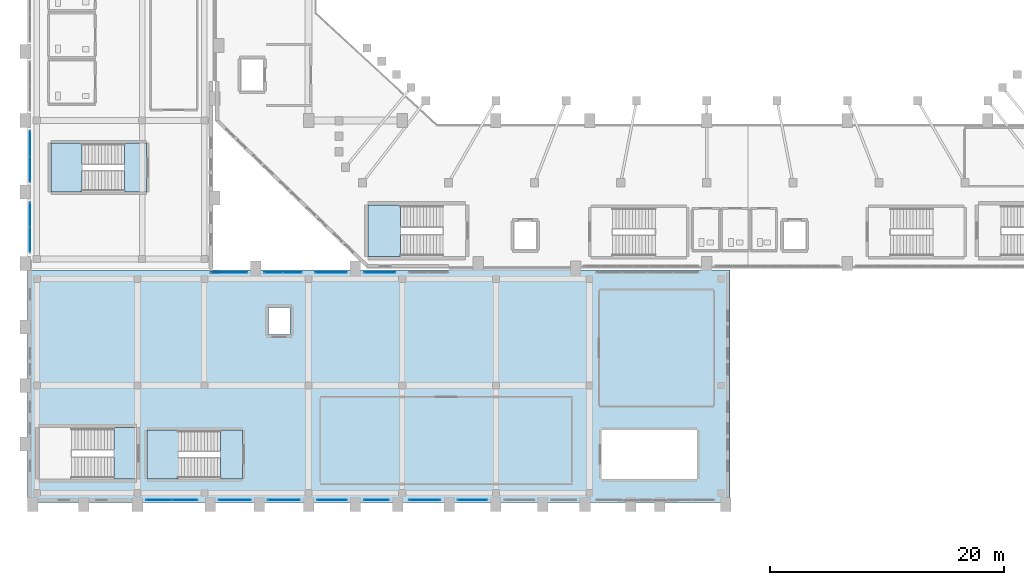
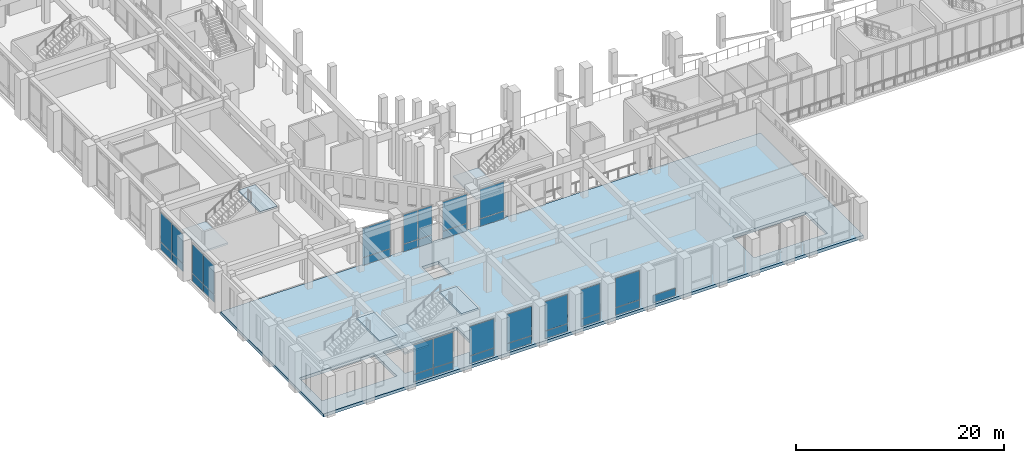
# One storey, part 65 of 126: 33 plates, 7 slabs, 17 elements without a shape of their own.
"""IFC4 building model written with IfcOpenShell, lengths in metres."""

from ifc_helpers import new_model, si_unit, derived_unit, direction, frame, origin, origin_2d, place, context, subcontext, project, spatial, polyline, rectangle, outline, extrude, material, layer, layer_set, type_object, element, aggregate, save


model = new_model("IFC4")

# Units and contexts
model_context = context("Model", 3, precision=1e-05, world=origin(), true_north=direction((0.0, 1.0)))
body_context = subcontext(model_context, "Body", "Model", "MODEL_VIEW")
ifc_project = project(units=[si_unit("LENGTHUNIT", "METRE"), si_unit("AREAUNIT", "SQUARE_METRE"), si_unit("VOLUMEUNIT", "CUBIC_METRE"), si_unit("PLANEANGLEUNIT", "RADIAN"), si_unit("MASSUNIT", "GRAM", prefix="KILO"), derived_unit("THERMALTRANSMITTANCEUNIT", [(si_unit("MASSUNIT", "GRAM", prefix="KILO"), 1), (si_unit("TIMEUNIT", "SECOND"), -3), (si_unit("THERMODYNAMICTEMPERATUREUNIT", "KELVIN"), -1)])], contexts=[model_context])

# Site, building, storey
site_placement = place(None, origin())
site = spatial("IfcSite", under=ifc_project, at=site_placement, CompositionType="ELEMENT")
building_placement = place(site_placement, origin())
building = spatial("IfcBuilding", under=site, at=building_placement, Name="Valcora Ridge Arena", CompositionType="ELEMENT")
storey_placement = place(building_placement, frame((0.0, 0.0, 11.39990234375)))
storey = spatial("IfcBuildingStorey", under=building, at=storey_placement, Name="L02", CompositionType="ELEMENT", Elevation=11.39990234375)

# Stair, slabs
ifc_material_1 = material(Name="Concrete C40/50", Category="concrete")
stair_type_1 = type_object("IfcStairType", Name="TY-STAIR-ES05-48", PredefinedType="HALF_TURN_STAIR", material=ifc_material_1)
stair_1_placement = place(storey_placement, origin())
stair_1 = element("IfcStair", 1, at=stair_1_placement, inside=storey, type_object=stair_type_1, Name="ES05-48 STR-ES-0019", PredefinedType="HALF_TURN_STAIR")
ifc_layer_1 = layer(ifc_material_1, 0.199951171875, Name="Concrete C40/50")
ifc_layer_set_1 = layer_set([ifc_layer_1], Name="Concrete C40/50")
slab_type_1 = type_object("IfcSlabType", Name="TY-LAND-ES05-48", PredefinedType="LANDING", material=ifc_layer_set_1)
slab_1_placement = place(storey_placement, frame((0.0, 0.0, 2.2001953125)))
slab_1 = element("IfcSlab", 2, at=slab_1_placement, type_object=slab_type_1, Name="ES05-48 landing 1", PredefinedType="LANDING", context=body_context, shape_type="SweptSolid", body=[
    extrude(outline(polyline([(10.201904296875, 2.001953125), (12.8798828125, 2.001953125), (12.8798828125, 6.197998046875), (10.201904296875, 6.197998046875), (10.201904296875, 2.001953125)])), origin(), (0.0, 0.0, 1.0), 0.199951171875),
])
slab_2_placement = place(storey_placement, frame((0.0, 0.0, 4.60009765625)))
slab_2 = element("IfcSlab", 3, at=slab_2_placement, type_object=slab_type_1, Name="ES05-48 landing 2", PredefinedType="LANDING", context=body_context, shape_type="SweptSolid", body=[
    extrude(outline(polyline([(16.47998046875, 2.001953125), (18.35791015625, 2.001953125), (18.35791015625, 6.197998046875), (16.47998046875, 6.197998046875), (16.47998046875, 2.001953125)])), origin(), (0.0, 0.0, 1.0), 0.199951171875),
])
aggregate(stair_1, [slab_1, slab_2])

stair_type_2 = type_object("IfcStairType", Name="TY-STAIR-ES07-48", PredefinedType="HALF_TURN_STAIR", material=ifc_material_1)
stair_2_placement = place(storey_placement, origin())
stair_2 = element("IfcStair", 4, at=stair_2_placement, inside=storey, type_object=stair_type_2, Name="ES07-48 STR-ES-0025", PredefinedType="HALF_TURN_STAIR")
ifc_layer_2 = layer(ifc_material_1, 0.199951171875, Name="Concrete C40/50")
ifc_layer_set_2 = layer_set([ifc_layer_2], Name="Concrete C40/50")
slab_type_2 = type_object("IfcSlabType", Name="TY-LAND-ES07-48", PredefinedType="LANDING", material=ifc_layer_set_2)
slab_3_placement = place(storey_placement, frame((0.0, 0.0, 2.2001953125)))
slab_3 = element("IfcSlab", 5, at=slab_3_placement, type_object=slab_type_2, Name="ES07-48 landing 1", PredefinedType="LANDING", context=body_context, shape_type="SweptSolid", body=[
    extrude(outline(polyline([(2.001953125, 26.501953125), (4.679931640625, 26.501953125), (4.679931640625, 30.697998046875), (2.001953125, 30.697998046875), (2.001953125, 26.501953125)])), origin(), (0.0, 0.0, 1.0), 0.199951171875),
])
slab_4_placement = place(storey_placement, frame((0.0, 0.0, 4.60009765625)))
slab_4 = element("IfcSlab", 6, at=slab_4_placement, type_object=slab_type_2, Name="ES07-48 landing 2", PredefinedType="LANDING", context=body_context, shape_type="SweptSolid", body=[
    extrude(outline(polyline([(8.280029296875, 26.501953125), (10.157958984375, 26.501953125), (10.157958984375, 30.697998046875), (8.280029296875, 30.697998046875), (8.280029296875, 26.501953125)])), origin(), (0.0, 0.0, 1.0), 0.199951171875),
])
aggregate(stair_2, [slab_3, slab_4])

# Stair, slab
stair_type_3 = type_object("IfcStairType", Name="TY-STAIR-ST01-48", PredefinedType="HALF_TURN_STAIR", material=ifc_material_1)
stair_3_placement = place(storey_placement, origin())
stair_3 = element("IfcStair", 7, at=stair_3_placement, inside=storey, type_object=stair_type_3, Name="ST01-48 STR-CR-0004", PredefinedType="HALF_TURN_STAIR")
ifc_layer_3 = layer(ifc_material_1, 0.199951171875, Name="Concrete C40/50")
ifc_layer_set_3 = layer_set([ifc_layer_3], Name="Concrete C40/50")
slab_type_3 = type_object("IfcSlabType", Name="TY-LAND-ST01-48", PredefinedType="LANDING", material=ifc_layer_set_3)
slab_5_placement = place(storey_placement, frame((0.0, 0.0, 2.2001953125)))
slab_5 = element("IfcSlab", 8, at=slab_5_placement, type_object=slab_type_3, Name="ST01-48 landing 1", PredefinedType="LANDING", context=body_context, shape_type="SweptSolid", body=[
    extrude(outline(polyline([(29.08203125, 21.001953125), (31.8701171875, 21.001953125), (31.8701171875, 25.39794921875), (29.08203125, 25.39794921875), (29.08203125, 21.001953125)])), origin(), (0.0, 0.0, 1.0), 0.199951171875),
])
aggregate(stair_3, [slab_5])

stair_type_4 = type_object("IfcStairType", Name="TY-STAIR-ST07-48", PredefinedType="HALF_TURN_STAIR", material=ifc_material_1)
stair_4_placement = place(storey_placement, origin())
stair_4 = element("IfcStair", 9, at=stair_4_placement, inside=storey, type_object=stair_type_4, Name="ST07-48 STR-CR-0033", PredefinedType="HALF_TURN_STAIR")
ifc_layer_4 = layer(ifc_material_1, 0.199951171875, Name="Concrete C40/50")
ifc_layer_set_4 = layer_set([ifc_layer_4], Name="Concrete C40/50")
slab_type_4 = type_object("IfcSlabType", Name="TY-LAND-ST07-48", PredefinedType="LANDING", material=ifc_layer_set_4)
slab_6_placement = place(storey_placement, frame((0.0, 0.0, 4.60009765625)))
slab_6 = element("IfcSlab", 10, at=slab_6_placement, type_object=slab_type_4, Name="ST07-48 landing 2", PredefinedType="LANDING", context=body_context, shape_type="SweptSolid", body=[
    extrude(outline(polyline([(7.389892578125, 2.001953125), (9.318115234375, 2.001953125), (9.318115234375, 6.39794921875), (7.389892578125, 6.39794921875), (7.389892578125, 2.001953125)])), origin(), (0.0, 0.0, 1.0), 0.199951171875),
])
aggregate(stair_4, [slab_6])

# Curtain wall, plates
ifc_material_2 = material(Name="Anodised dark bronze architectural aluminium 6063-T6", Category="aluminium")
ifc_layer_5 = layer(ifc_material_2, 0.14990234375, Name="Anodised dark bronze architectural aluminium 6063-T6")
ifc_layer_set_5 = layer_set([ifc_layer_5], Name="Anodised dark bronze architectural aluminium 6063-T6")
curtain_wall_type_1 = type_object("IfcCurtainWallType", Name="TY-CURTAINWALL-CW-V4-CLUB-033X44", PredefinedType="NOTDEFINED", material=ifc_layer_set_5)
curtain_wall_1_placement = place(storey_placement, origin())
curtain_wall_1 = element("IfcCurtainWall", 11, at=curtain_wall_1_placement, inside=storey, type_object=curtain_wall_type_1, Name="CW-V4-CLUB-033X44 CW-0250", PredefinedType="NOTDEFINED")
ifc_material_3 = material(Name="Low-iron solar-control double glazing SHGC 0.28", Category="glass")
ifc_layer_6 = layer(ifc_material_3, 0.028076171875, Name="Low-iron solar-control double glazing SHGC 0.28")
ifc_layer_set_6 = layer_set([ifc_layer_6], Name="Low-iron solar-control double glazing SHGC 0.28")
plate_type_1 = type_object("IfcPlateType", Name="TY-PLT-CWP-1560X0875", PredefinedType="CURTAIN_PANEL", material=ifc_layer_set_6)
plate_1_placement = place(storey_placement, frame((21.02001953125, 19.64990234375, 0.050048828125), z_axis=(0.0, 0.0, 1.0), x_axis=(1.0, 0.0, 0.0)))
plate_1 = element("IfcPlate", 12, at=plate_1_placement, type_object=plate_type_1, Name="CW-0250/P00-00", PredefinedType="CURTAIN_PANEL", context=body_context, shape_type="SweptSolid", body=[
    extrude(rectangle(XDim=1.56005859375, YDim=0.028076171875, at=origin_2d()), origin(), (0.0, 0.0, 1.0), 0.875),
])
plate_2_placement = place(storey_placement, frame((22.6298828125, 19.64990234375, 0.050048828125), z_axis=(0.0, 0.0, 1.0), x_axis=(1.0, 0.0, 0.0)))
plate_2 = element("IfcPlate", 13, at=plate_2_placement, type_object=plate_type_1, Name="CW-0250/P01-00", PredefinedType="CURTAIN_PANEL", context=body_context, shape_type="SweptSolid", body=[
    extrude(rectangle(XDim=1.56005859375, YDim=0.028076171875, at=origin_2d()), origin(), (0.0, 0.0, 1.0), 0.875),
])
ifc_layer_7 = layer(ifc_material_3, 0.028076171875, Name="Low-iron solar-control double glazing SHGC 0.28")
ifc_layer_set_7 = layer_set([ifc_layer_7], Name="Low-iron solar-control double glazing SHGC 0.28")
plate_type_2 = type_object("IfcPlateType", Name="TY-PLT-CWP-1560X3425", PredefinedType="CURTAIN_PANEL", material=ifc_layer_set_7)
plate_3_placement = place(storey_placement, frame((21.02001953125, 19.64990234375, 0.97509765625), z_axis=(0.0, 0.0, 1.0), x_axis=(1.0, 0.0, 0.0)))
plate_3 = element("IfcPlate", 14, at=plate_3_placement, type_object=plate_type_2, Name="CW-0250/P00-01", PredefinedType="CURTAIN_PANEL", context=body_context, shape_type="SweptSolid", body=[
    extrude(rectangle(XDim=1.56005859375, YDim=0.028076171875, at=origin_2d()), origin(), (0.0, 0.0, 1.0), 3.425048828125),
])
plate_4_placement = place(storey_placement, frame((22.6298828125, 19.64990234375, 0.97509765625), z_axis=(0.0, 0.0, 1.0), x_axis=(1.0, 0.0, 0.0)))
plate_4 = element("IfcPlate", 15, at=plate_4_placement, type_object=plate_type_2, Name="CW-0250/P01-01", PredefinedType="CURTAIN_PANEL", context=body_context, shape_type="SweptSolid", body=[
    extrude(rectangle(XDim=1.56005859375, YDim=0.028076171875, at=origin_2d()), origin(), (0.0, 0.0, 1.0), 3.425048828125),
])
aggregate(curtain_wall_1, [plate_1, plate_3, plate_2, plate_4])

ifc_layer_8 = layer(ifc_material_2, 0.14990234375, Name="Anodised dark bronze architectural aluminium 6063-T6")
ifc_layer_set_8 = layer_set([ifc_layer_8], Name="Anodised dark bronze architectural aluminium 6063-T6")
curtain_wall_type_2 = type_object("IfcCurtainWallType", Name="TY-CURTAINWALL-CW-V4-CLUB-043X44", PredefinedType="NOTDEFINED", material=ifc_layer_set_8)
curtain_wall_2_placement = place(storey_placement, origin())
curtain_wall_2 = element("IfcCurtainWall", 16, at=curtain_wall_2_placement, inside=storey, type_object=curtain_wall_type_2, Name="CW-V4-CLUB-043X44 CW-0255", PredefinedType="NOTDEFINED")
ifc_layer_9 = layer(ifc_material_3, 0.028076171875, Name="Low-iron solar-control double glazing SHGC 0.28")
ifc_layer_set_9 = layer_set([ifc_layer_9], Name="Low-iron solar-control double glazing SHGC 0.28")
plate_type_3 = type_object("IfcPlateType", Name="TY-PLT-CWP-2085X0875", PredefinedType="CURTAIN_PANEL", material=ifc_layer_set_9)
plate_5_placement = place(storey_placement, frame((0.219970703125, 22.4326171875, 0.050048828125), z_axis=(0.0, 0.0, 1.0), x_axis=(0.0, 1.0, 0.0)))
plate_5 = element("IfcPlate", 17, at=plate_5_placement, type_object=plate_type_3, Name="CW-0255/P00-00", PredefinedType="CURTAIN_PANEL", context=body_context, shape_type="SweptSolid", body=[
    extrude(rectangle(XDim=2.0849609375, YDim=0.028076171875, at=origin_2d()), origin(), (0.0, 0.0, 1.0), 0.875),
])
plate_6_placement = place(storey_placement, frame((0.219970703125, 24.5673828125, 0.050048828125), z_axis=(0.0, 0.0, 1.0), x_axis=(0.0, 1.0, 0.0)))
plate_6 = element("IfcPlate", 18, at=plate_6_placement, type_object=plate_type_3, Name="CW-0255/P01-00", PredefinedType="CURTAIN_PANEL", context=body_context, shape_type="SweptSolid", body=[
    extrude(rectangle(XDim=2.0849609375, YDim=0.028076171875, at=origin_2d()), origin(), (0.0, 0.0, 1.0), 0.875),
])
ifc_layer_10 = layer(ifc_material_3, 0.028076171875, Name="Low-iron solar-control double glazing SHGC 0.28")
ifc_layer_set_10 = layer_set([ifc_layer_10], Name="Low-iron solar-control double glazing SHGC 0.28")
plate_type_4 = type_object("IfcPlateType", Name="TY-PLT-CWP-2085X3425", PredefinedType="CURTAIN_PANEL", material=ifc_layer_set_10)
plate_7_placement = place(storey_placement, frame((0.219970703125, 22.4326171875, 0.97509765625), z_axis=(0.0, 0.0, 1.0), x_axis=(0.0, 1.0, 0.0)))
plate_7 = element("IfcPlate", 19, at=plate_7_placement, type_object=plate_type_4, Name="CW-0255/P00-01", PredefinedType="CURTAIN_PANEL", context=body_context, shape_type="SweptSolid", body=[
    extrude(rectangle(XDim=2.0849609375, YDim=0.028076171875, at=origin_2d()), origin(), (0.0, 0.0, 1.0), 3.425048828125),
])
plate_8_placement = place(storey_placement, frame((0.219970703125, 24.5673828125, 0.97509765625), z_axis=(0.0, 0.0, 1.0), x_axis=(0.0, 1.0, 0.0)))
plate_8 = element("IfcPlate", 20, at=plate_8_placement, type_object=plate_type_4, Name="CW-0255/P01-01", PredefinedType="CURTAIN_PANEL", context=body_context, shape_type="SweptSolid", body=[
    extrude(rectangle(XDim=2.0849609375, YDim=0.028076171875, at=origin_2d()), origin(), (0.0, 0.0, 1.0), 3.425048828125),
])
aggregate(curtain_wall_2, [plate_5, plate_7, plate_6, plate_8])

ifc_layer_11 = layer(ifc_material_2, 0.14990234375, Name="Anodised dark bronze architectural aluminium 6063-T6")
ifc_layer_set_11 = layer_set([ifc_layer_11], Name="Anodised dark bronze architectural aluminium 6063-T6")
curtain_wall_type_3 = type_object("IfcCurtainWallType", Name="TY-CURTAINWALL-CW-V4-CLUB-022X44", PredefinedType="NOTDEFINED", material=ifc_layer_set_11)
curtain_wall_3_placement = place(storey_placement, origin())
curtain_wall_3 = element("IfcCurtainWall", 21, at=curtain_wall_3_placement, inside=storey, type_object=curtain_wall_type_3, Name="CW-V4-CLUB-022X44 CW-0241", PredefinedType="NOTDEFINED")
ifc_layer_12 = layer(ifc_material_3, 0.028076171875, Name="Low-iron solar-control double glazing SHGC 0.28")
ifc_layer_set_12 = layer_set([ifc_layer_12], Name="Low-iron solar-control double glazing SHGC 0.28")
plate_type_5 = type_object("IfcPlateType", Name="TY-PLT-CWP-2120X0875", PredefinedType="CURTAIN_PANEL", material=ifc_layer_set_12)
plate_9_placement = place(storey_placement, frame((29.800048828125, 0.219970703125, 0.050048828125), z_axis=(0.0, 0.0, 1.0), x_axis=(1.0, 0.0, 0.0)))
plate_9 = element("IfcPlate", 22, at=plate_9_placement, type_object=plate_type_5, Name="CW-0241/P00-00", PredefinedType="CURTAIN_PANEL", context=body_context, shape_type="SweptSolid", body=[
    extrude(rectangle(XDim=2.1201171875, YDim=0.028076171875, at=origin_2d()), origin(), (0.0, 0.0, 1.0), 0.875),
])
ifc_layer_13 = layer(ifc_material_3, 0.028076171875, Name="Low-iron solar-control double glazing SHGC 0.28")
ifc_layer_set_13 = layer_set([ifc_layer_13], Name="Low-iron solar-control double glazing SHGC 0.28")
plate_type_6 = type_object("IfcPlateType", Name="TY-PLT-CWP-2120X3425", PredefinedType="CURTAIN_PANEL", material=ifc_layer_set_13)
plate_10_placement = place(storey_placement, frame((29.800048828125, 0.219970703125, 0.97509765625), z_axis=(0.0, 0.0, 1.0), x_axis=(1.0, 0.0, 0.0)))
plate_10 = element("IfcPlate", 23, at=plate_10_placement, type_object=plate_type_6, Name="CW-0241/P00-01", PredefinedType="CURTAIN_PANEL", context=body_context, shape_type="SweptSolid", body=[
    extrude(rectangle(XDim=2.1201171875, YDim=0.028076171875, at=origin_2d()), origin(), (0.0, 0.0, 1.0), 3.425048828125),
])
aggregate(curtain_wall_3, [plate_9, plate_10])

ifc_layer_14 = layer(ifc_material_2, 0.14990234375, Name="Anodised dark bronze architectural aluminium 6063-T6")
ifc_layer_set_14 = layer_set([ifc_layer_14], Name="Anodised dark bronze architectural aluminium 6063-T6")
curtain_wall_type_4 = type_object("IfcCurtainWallType", Name="TY-CURTAINWALL-CW-V4-CLUB-044X44", PredefinedType="NOTDEFINED", material=ifc_layer_set_14)
curtain_wall_4_placement = place(storey_placement, origin())
curtain_wall_4 = element("IfcCurtainWall", 24, at=curtain_wall_4_placement, inside=storey, type_object=curtain_wall_type_4, Name="CW-V4-CLUB-044X44 CW-0256", PredefinedType="NOTDEFINED")
ifc_layer_15 = layer(ifc_material_3, 0.028076171875, Name="Low-iron solar-control double glazing SHGC 0.28")
ifc_layer_set_15 = layer_set([ifc_layer_15], Name="Low-iron solar-control double glazing SHGC 0.28")
plate_type_7 = type_object("IfcPlateType", Name="TY-PLT-CWP-2135X0875", PredefinedType="CURTAIN_PANEL", material=ifc_layer_set_15)
plate_11_placement = place(storey_placement, frame((0.219970703125, 28.45751953125, 0.050048828125), z_axis=(0.0, 0.0, 1.0), x_axis=(0.0, 1.0, 0.0)))
plate_11 = element("IfcPlate", 25, at=plate_11_placement, type_object=plate_type_7, Name="CW-0256/P00-00", PredefinedType="CURTAIN_PANEL", context=body_context, shape_type="SweptSolid", body=[
    extrude(rectangle(XDim=2.135009765625, YDim=0.028076171875, at=origin_2d()), origin(), (0.0, 0.0, 1.0), 0.875),
])
plate_12_placement = place(storey_placement, frame((0.219970703125, 30.642578125, 0.050048828125), z_axis=(0.0, 0.0, 1.0), x_axis=(0.0, 1.0, 0.0)))
plate_12 = element("IfcPlate", 26, at=plate_12_placement, type_object=plate_type_7, Name="CW-0256/P01-00", PredefinedType="CURTAIN_PANEL", context=body_context, shape_type="SweptSolid", body=[
    extrude(rectangle(XDim=2.135009765625, YDim=0.028076171875, at=origin_2d()), origin(), (0.0, 0.0, 1.0), 0.875),
])
ifc_layer_16 = layer(ifc_material_3, 0.028076171875, Name="Low-iron solar-control double glazing SHGC 0.28")
ifc_layer_set_16 = layer_set([ifc_layer_16], Name="Low-iron solar-control double glazing SHGC 0.28")
plate_type_8 = type_object("IfcPlateType", Name="TY-PLT-CWP-2135X3425", PredefinedType="CURTAIN_PANEL", material=ifc_layer_set_16)
plate_13_placement = place(storey_placement, frame((0.219970703125, 28.45751953125, 0.97509765625), z_axis=(0.0, 0.0, 1.0), x_axis=(0.0, 1.0, 0.0)))
plate_13 = element("IfcPlate", 27, at=plate_13_placement, type_object=plate_type_8, Name="CW-0256/P00-01", PredefinedType="CURTAIN_PANEL", context=body_context, shape_type="SweptSolid", body=[
    extrude(rectangle(XDim=2.135009765625, YDim=0.028076171875, at=origin_2d()), origin(), (0.0, 0.0, 1.0), 3.425048828125),
])
plate_14_placement = place(storey_placement, frame((0.219970703125, 30.642578125, 0.97509765625), z_axis=(0.0, 0.0, 1.0), x_axis=(0.0, 1.0, 0.0)))
plate_14 = element("IfcPlate", 28, at=plate_14_placement, type_object=plate_type_8, Name="CW-0256/P01-01", PredefinedType="CURTAIN_PANEL", context=body_context, shape_type="SweptSolid", body=[
    extrude(rectangle(XDim=2.135009765625, YDim=0.028076171875, at=origin_2d()), origin(), (0.0, 0.0, 1.0), 3.425048828125),
])
aggregate(curtain_wall_4, [plate_11, plate_13, plate_12, plate_14])

ifc_layer_17 = layer(ifc_material_2, 0.14990234375, Name="Anodised dark bronze architectural aluminium 6063-T6")
ifc_layer_set_17 = layer_set([ifc_layer_17], Name="Anodised dark bronze architectural aluminium 6063-T6")
curtain_wall_type_5 = type_object("IfcCurtainWallType", Name="TY-CURTAINWALL-CW-V4-CLUB-045X44", PredefinedType="NOTDEFINED", material=ifc_layer_set_17)
curtain_wall_5_placement = place(storey_placement, origin())
curtain_wall_5 = element("IfcCurtainWall", 29, at=curtain_wall_5_placement, inside=storey, type_object=curtain_wall_type_5, Name="CW-V4-CLUB-045X44 CW-0237", PredefinedType="NOTDEFINED")
ifc_layer_18 = layer(ifc_material_3, 0.028076171875, Name="Low-iron solar-control double glazing SHGC 0.28")
ifc_layer_set_18 = layer_set([ifc_layer_18], Name="Low-iron solar-control double glazing SHGC 0.28")
plate_type_9 = type_object("IfcPlateType", Name="TY-PLT-CWP-2160X0875", PredefinedType="CURTAIN_PANEL", material=ifc_layer_set_18)
plate_15_placement = place(storey_placement, frame((11.219970703125, 0.219970703125, 0.050048828125), z_axis=(0.0, 0.0, 1.0), x_axis=(1.0, 0.0, 0.0)))
plate_15 = element("IfcPlate", 30, at=plate_15_placement, type_object=plate_type_9, Name="CW-0237/P00-00", PredefinedType="CURTAIN_PANEL", context=body_context, shape_type="SweptSolid", body=[
    extrude(rectangle(XDim=2.159912109375, YDim=0.028076171875, at=origin_2d()), origin(), (0.0, 0.0, 1.0), 0.875),
])
plate_16_placement = place(storey_placement, frame((13.429931640625, 0.219970703125, 0.050048828125), z_axis=(0.0, 0.0, 1.0), x_axis=(1.0, 0.0, 0.0)))
plate_16 = element("IfcPlate", 31, at=plate_16_placement, type_object=plate_type_9, Name="CW-0237/P01-00", PredefinedType="CURTAIN_PANEL", context=body_context, shape_type="SweptSolid", body=[
    extrude(rectangle(XDim=2.159912109375, YDim=0.028076171875, at=origin_2d()), origin(), (0.0, 0.0, 1.0), 0.875),
])
ifc_layer_19 = layer(ifc_material_3, 0.028076171875, Name="Low-iron solar-control double glazing SHGC 0.28")
ifc_layer_set_19 = layer_set([ifc_layer_19], Name="Low-iron solar-control double glazing SHGC 0.28")
plate_type_10 = type_object("IfcPlateType", Name="TY-PLT-CWP-2160X3425", PredefinedType="CURTAIN_PANEL", material=ifc_layer_set_19)
plate_17_placement = place(storey_placement, frame((11.219970703125, 0.219970703125, 0.97509765625), z_axis=(0.0, 0.0, 1.0), x_axis=(1.0, 0.0, 0.0)))
plate_17 = element("IfcPlate", 32, at=plate_17_placement, type_object=plate_type_10, Name="CW-0237/P00-01", PredefinedType="CURTAIN_PANEL", context=body_context, shape_type="SweptSolid", body=[
    extrude(rectangle(XDim=2.159912109375, YDim=0.028076171875, at=origin_2d()), origin(), (0.0, 0.0, 1.0), 3.425048828125),
])
plate_18_placement = place(storey_placement, frame((13.429931640625, 0.219970703125, 0.97509765625), z_axis=(0.0, 0.0, 1.0), x_axis=(1.0, 0.0, 0.0)))
plate_18 = element("IfcPlate", 33, at=plate_18_placement, type_object=plate_type_10, Name="CW-0237/P01-01", PredefinedType="CURTAIN_PANEL", context=body_context, shape_type="SweptSolid", body=[
    extrude(rectangle(XDim=2.159912109375, YDim=0.028076171875, at=origin_2d()), origin(), (0.0, 0.0, 1.0), 3.425048828125),
])
aggregate(curtain_wall_5, [plate_15, plate_17, plate_16, plate_18])

# Curtain wall, plate
ifc_layer_20 = layer(ifc_material_2, 0.14990234375, Name="Anodised dark bronze architectural aluminium 6063-T6")
ifc_layer_set_20 = layer_set([ifc_layer_20], Name="Anodised dark bronze architectural aluminium 6063-T6")
curtain_wall_type_6 = type_object("IfcCurtainWallType", Name="TY-CURTAINWALL-CW-V4-CLUB-026X44", PredefinedType="NOTDEFINED", material=ifc_layer_set_20)
curtain_wall_6_placement = place(storey_placement, origin())
curtain_wall_6 = element("IfcCurtainWall", 34, at=curtain_wall_6_placement, inside=storey, type_object=curtain_wall_type_6, Name="CW-V4-CLUB-026X44 CW-0240", PredefinedType="NOTDEFINED")
ifc_layer_21 = layer(ifc_material_3, 0.028076171875, Name="Low-iron solar-control double glazing SHGC 0.28")
ifc_layer_set_21 = layer_set([ifc_layer_21], Name="Low-iron solar-control double glazing SHGC 0.28")
plate_type_11 = type_object("IfcPlateType", Name="TY-PLT-CWP-2520X0875", PredefinedType="CURTAIN_PANEL", material=ifc_layer_set_21)
plate_19_placement = place(storey_placement, frame((26.0, 0.219970703125, 0.050048828125), z_axis=(0.0, 0.0, 1.0), x_axis=(1.0, 0.0, 0.0)))
plate_19 = element("IfcPlate", 35, at=plate_19_placement, type_object=plate_type_11, Name="CW-0240/P00-00", PredefinedType="CURTAIN_PANEL", context=body_context, shape_type="SweptSolid", body=[
    extrude(rectangle(XDim=2.52001953125, YDim=0.028076171875, at=origin_2d()), origin(), (0.0, 0.0, 1.0), 0.875),
])

curtain_wall_7_placement = place(storey_placement, origin())
curtain_wall_7 = element("IfcCurtainWall", 36, at=curtain_wall_7_placement, inside=storey, type_object=curtain_wall_type_6, Name="CW-V4-CLUB-026X44 CW-0243", PredefinedType="NOTDEFINED")
plate_20_placement = place(storey_placement, frame((38.0, 0.219970703125, 0.050048828125), z_axis=(0.0, 0.0, 1.0), x_axis=(1.0, 0.0, 0.0)))
plate_20 = element("IfcPlate", 37, at=plate_20_placement, type_object=plate_type_11, Name="CW-0243/P00-00", PredefinedType="CURTAIN_PANEL", context=body_context, shape_type="SweptSolid", body=[
    extrude(rectangle(XDim=2.52001953125, YDim=0.028076171875, at=origin_2d()), origin(), (0.0, 0.0, 1.0), 0.875),
])
aggregate(curtain_wall_7, [plate_20])

# Plate
ifc_layer_22 = layer(ifc_material_3, 0.028076171875, Name="Low-iron solar-control double glazing SHGC 0.28")
ifc_layer_set_22 = layer_set([ifc_layer_22], Name="Low-iron solar-control double glazing SHGC 0.28")
plate_type_12 = type_object("IfcPlateType", Name="TY-PLT-CWP-2520X3425", PredefinedType="CURTAIN_PANEL", material=ifc_layer_set_22)
plate_21_placement = place(storey_placement, frame((26.0, 0.219970703125, 0.97509765625), z_axis=(0.0, 0.0, 1.0), x_axis=(1.0, 0.0, 0.0)))
plate_21 = element("IfcPlate", 38, at=plate_21_placement, type_object=plate_type_12, Name="CW-0240/P00-01", PredefinedType="CURTAIN_PANEL", context=body_context, shape_type="SweptSolid", body=[
    extrude(rectangle(XDim=2.52001953125, YDim=0.028076171875, at=origin_2d()), origin(), (0.0, 0.0, 1.0), 3.425048828125),
])

aggregate(curtain_wall_6, [plate_19, plate_21])

# Curtain wall, plate
ifc_layer_23 = layer(ifc_material_2, 0.14990234375, Name="Anodised dark bronze architectural aluminium 6063-T6")
ifc_layer_set_23 = layer_set([ifc_layer_23], Name="Anodised dark bronze architectural aluminium 6063-T6")
curtain_wall_type_7 = type_object("IfcCurtainWallType", Name="TY-CURTAINWALL-CW-V4-CLUB-028X44", PredefinedType="NOTDEFINED", material=ifc_layer_set_23)
curtain_wall_8_placement = place(storey_placement, origin())
curtain_wall_8 = element("IfcCurtainWall", 39, at=curtain_wall_8_placement, inside=storey, type_object=curtain_wall_type_7, Name="CW-V4-CLUB-028X44 CW-0242", PredefinedType="NOTDEFINED")
ifc_layer_24 = layer(ifc_material_3, 0.028076171875, Name="Low-iron solar-control double glazing SHGC 0.28")
ifc_layer_set_24 = layer_set([ifc_layer_24], Name="Low-iron solar-control double glazing SHGC 0.28")
plate_type_13 = type_object("IfcPlateType", Name="TY-PLT-CWP-2670X0875", PredefinedType="CURTAIN_PANEL", material=ifc_layer_set_24)
plate_22_placement = place(storey_placement, frame((33.925048828125, 0.219970703125, 0.050048828125), z_axis=(0.0, 0.0, 1.0), x_axis=(1.0, 0.0, 0.0)))
plate_22 = element("IfcPlate", 40, at=plate_22_placement, type_object=plate_type_13, Name="CW-0242/P00-00", PredefinedType="CURTAIN_PANEL", context=body_context, shape_type="SweptSolid", body=[
    extrude(rectangle(XDim=2.669921875, YDim=0.028076171875, at=origin_2d()), origin(), (0.0, 0.0, 1.0), 0.875),
])

curtain_wall_9_placement = place(storey_placement, origin())
curtain_wall_9 = element("IfcCurtainWall", 41, at=curtain_wall_9_placement, inside=storey, type_object=curtain_wall_type_7, Name="CW-V4-CLUB-028X44 CW-0251", PredefinedType="NOTDEFINED")
plate_23_placement = place(storey_placement, frame((25.925048828125, 19.64990234375, 0.050048828125), z_axis=(0.0, 0.0, 1.0), x_axis=(1.0, 0.0, 0.0)))
plate_23 = element("IfcPlate", 42, at=plate_23_placement, type_object=plate_type_13, Name="CW-0251/P00-00", PredefinedType="CURTAIN_PANEL", context=body_context, shape_type="SweptSolid", body=[
    extrude(rectangle(XDim=2.669921875, YDim=0.028076171875, at=origin_2d()), origin(), (0.0, 0.0, 1.0), 0.875),
])

curtain_wall_10_placement = place(storey_placement, origin())
curtain_wall_10 = element("IfcCurtainWall", 43, at=curtain_wall_10_placement, inside=storey, type_object=curtain_wall_type_7, Name="CW-V4-CLUB-028X44 CW-0252", PredefinedType="NOTDEFINED")
plate_24_placement = place(storey_placement, frame((30.074951171875, 19.64990234375, 0.050048828125), z_axis=(0.0, 0.0, 1.0), x_axis=(1.0, 0.0, 0.0)))
plate_24 = element("IfcPlate", 44, at=plate_24_placement, type_object=plate_type_13, Name="CW-0252/P00-00", PredefinedType="CURTAIN_PANEL", context=body_context, shape_type="SweptSolid", body=[
    extrude(rectangle(XDim=2.669921875, YDim=0.028076171875, at=origin_2d()), origin(), (0.0, 0.0, 1.0), 0.875),
])

# Plate
ifc_layer_25 = layer(ifc_material_3, 0.028076171875, Name="Low-iron solar-control double glazing SHGC 0.28")
ifc_layer_set_25 = layer_set([ifc_layer_25], Name="Low-iron solar-control double glazing SHGC 0.28")
plate_type_14 = type_object("IfcPlateType", Name="TY-PLT-CWP-2670X3425", PredefinedType="CURTAIN_PANEL", material=ifc_layer_set_25)
plate_25_placement = place(storey_placement, frame((33.925048828125, 0.219970703125, 0.97509765625), z_axis=(0.0, 0.0, 1.0), x_axis=(1.0, 0.0, 0.0)))
plate_25 = element("IfcPlate", 45, at=plate_25_placement, type_object=plate_type_14, Name="CW-0242/P00-01", PredefinedType="CURTAIN_PANEL", context=body_context, shape_type="SweptSolid", body=[
    extrude(rectangle(XDim=2.669921875, YDim=0.028076171875, at=origin_2d()), origin(), (0.0, 0.0, 1.0), 3.425048828125),
])

aggregate(curtain_wall_8, [plate_22, plate_25])

plate_26_placement = place(storey_placement, frame((25.925048828125, 19.64990234375, 0.97509765625), z_axis=(0.0, 0.0, 1.0), x_axis=(1.0, 0.0, 0.0)))
plate_26 = element("IfcPlate", 46, at=plate_26_placement, type_object=plate_type_14, Name="CW-0251/P00-01", PredefinedType="CURTAIN_PANEL", context=body_context, shape_type="SweptSolid", body=[
    extrude(rectangle(XDim=2.669921875, YDim=0.028076171875, at=origin_2d()), origin(), (0.0, 0.0, 1.0), 3.425048828125),
])

aggregate(curtain_wall_9, [plate_23, plate_26])

plate_27_placement = place(storey_placement, frame((30.074951171875, 19.64990234375, 0.97509765625), z_axis=(0.0, 0.0, 1.0), x_axis=(1.0, 0.0, 0.0)))
plate_27 = element("IfcPlate", 47, at=plate_27_placement, type_object=plate_type_14, Name="CW-0252/P00-01", PredefinedType="CURTAIN_PANEL", context=body_context, shape_type="SweptSolid", body=[
    extrude(rectangle(XDim=2.669921875, YDim=0.028076171875, at=origin_2d()), origin(), (0.0, 0.0, 1.0), 3.425048828125),
])

aggregate(curtain_wall_10, [plate_24, plate_27])

# Curtain wall, plate
curtain_wall_11_placement = place(storey_placement, origin())
curtain_wall_11 = element("IfcCurtainWall", 48, at=curtain_wall_11_placement, inside=storey, type_object=curtain_wall_type_7, Name="CW-V4-CLUB-028X44 CW-0238", PredefinedType="NOTDEFINED")
ifc_layer_26 = layer(ifc_material_3, 0.028076171875, Name="Low-iron solar-control double glazing SHGC 0.28")
ifc_layer_set_26 = layer_set([ifc_layer_26], Name="Low-iron solar-control double glazing SHGC 0.28")
plate_type_15 = type_object("IfcPlateType", Name="TY-PLT-CWP-2720X0875", PredefinedType="CURTAIN_PANEL", material=ifc_layer_set_26)
plate_28_placement = place(storey_placement, frame((17.699951171875, 0.219970703125, 0.050048828125), z_axis=(0.0, 0.0, 1.0), x_axis=(1.0, 0.0, 0.0)))
plate_28 = element("IfcPlate", 49, at=plate_28_placement, type_object=plate_type_15, Name="CW-0238/P00-00", PredefinedType="CURTAIN_PANEL", context=body_context, shape_type="SweptSolid", body=[
    extrude(rectangle(XDim=2.719970703125, YDim=0.028076171875, at=origin_2d()), origin(), (0.0, 0.0, 1.0), 0.875),
])

curtain_wall_12_placement = place(storey_placement, origin())
curtain_wall_12 = element("IfcCurtainWall", 50, at=curtain_wall_12_placement, inside=storey, type_object=curtain_wall_type_7, Name="CW-V4-CLUB-028X44 CW-0239", PredefinedType="NOTDEFINED")
plate_29_placement = place(storey_placement, frame((21.89990234375, 0.219970703125, 0.050048828125), z_axis=(0.0, 0.0, 1.0), x_axis=(1.0, 0.0, 0.0)))
plate_29 = element("IfcPlate", 51, at=plate_29_placement, type_object=plate_type_15, Name="CW-0239/P00-00", PredefinedType="CURTAIN_PANEL", context=body_context, shape_type="SweptSolid", body=[
    extrude(rectangle(XDim=2.719970703125, YDim=0.028076171875, at=origin_2d()), origin(), (0.0, 0.0, 1.0), 0.875),
])

# Plate
ifc_layer_27 = layer(ifc_material_3, 0.028076171875, Name="Low-iron solar-control double glazing SHGC 0.28")
ifc_layer_set_27 = layer_set([ifc_layer_27], Name="Low-iron solar-control double glazing SHGC 0.28")
plate_type_16 = type_object("IfcPlateType", Name="TY-PLT-CWP-2720X3425", PredefinedType="CURTAIN_PANEL", material=ifc_layer_set_27)
plate_30_placement = place(storey_placement, frame((17.699951171875, 0.219970703125, 0.97509765625), z_axis=(0.0, 0.0, 1.0), x_axis=(1.0, 0.0, 0.0)))
plate_30 = element("IfcPlate", 52, at=plate_30_placement, type_object=plate_type_16, Name="CW-0238/P00-01", PredefinedType="CURTAIN_PANEL", context=body_context, shape_type="SweptSolid", body=[
    extrude(rectangle(XDim=2.719970703125, YDim=0.028076171875, at=origin_2d()), origin(), (0.0, 0.0, 1.0), 3.425048828125),
])

aggregate(curtain_wall_11, [plate_28, plate_30])

plate_31_placement = place(storey_placement, frame((21.89990234375, 0.219970703125, 0.97509765625), z_axis=(0.0, 0.0, 1.0), x_axis=(1.0, 0.0, 0.0)))
plate_31 = element("IfcPlate", 53, at=plate_31_placement, type_object=plate_type_16, Name="CW-0239/P00-01", PredefinedType="CURTAIN_PANEL", context=body_context, shape_type="SweptSolid", body=[
    extrude(rectangle(XDim=2.719970703125, YDim=0.028076171875, at=origin_2d()), origin(), (0.0, 0.0, 1.0), 3.425048828125),
])

aggregate(curtain_wall_12, [plate_29, plate_31])

# Curtain wall, plates
ifc_layer_28 = layer(ifc_material_2, 0.14990234375, Name="Anodised dark bronze architectural aluminium 6063-T6")
ifc_layer_set_28 = layer_set([ifc_layer_28], Name="Anodised dark bronze architectural aluminium 6063-T6")
curtain_wall_type_8 = type_object("IfcCurtainWallType", Name="TY-CURTAINWALL-CW-V4-CLUB-032X44", PredefinedType="NOTDEFINED", material=ifc_layer_set_28)
curtain_wall_13_placement = place(storey_placement, origin())
curtain_wall_13 = element("IfcCurtainWall", 54, at=curtain_wall_13_placement, inside=storey, type_object=curtain_wall_type_8, Name="CW-V4-CLUB-032X44 CW-0249", PredefinedType="NOTDEFINED")
ifc_layer_29 = layer(ifc_material_3, 0.028076171875, Name="Low-iron solar-control double glazing SHGC 0.28")
ifc_layer_set_29 = layer_set([ifc_layer_29], Name="Low-iron solar-control double glazing SHGC 0.28")
plate_type_17 = type_object("IfcPlateType", Name="TY-PLT-CWP-3060X0875", PredefinedType="CURTAIN_PANEL", material=ifc_layer_set_29)
plate_32_placement = place(storey_placement, frame((17.22998046875, 19.64990234375, 0.050048828125), z_axis=(0.0, 0.0, 1.0), x_axis=(1.0, 0.0, 0.0)))
plate_32 = element("IfcPlate", 55, at=plate_32_placement, type_object=plate_type_17, Name="CW-0249/P00-00", PredefinedType="CURTAIN_PANEL", context=body_context, shape_type="SweptSolid", body=[
    extrude(rectangle(XDim=3.06005859375, YDim=0.028076171875, at=origin_2d()), origin(), (0.0, 0.0, 1.0), 0.875),
])
ifc_layer_30 = layer(ifc_material_3, 0.028076171875, Name="Low-iron solar-control double glazing SHGC 0.28")
ifc_layer_set_30 = layer_set([ifc_layer_30], Name="Low-iron solar-control double glazing SHGC 0.28")
plate_type_18 = type_object("IfcPlateType", Name="TY-PLT-CWP-3060X3425", PredefinedType="CURTAIN_PANEL", material=ifc_layer_set_30)
plate_33_placement = place(storey_placement, frame((17.22998046875, 19.64990234375, 0.97509765625), z_axis=(0.0, 0.0, 1.0), x_axis=(1.0, 0.0, 0.0)))
plate_33 = element("IfcPlate", 56, at=plate_33_placement, type_object=plate_type_18, Name="CW-0249/P00-01", PredefinedType="CURTAIN_PANEL", context=body_context, shape_type="SweptSolid", body=[
    extrude(rectangle(XDim=3.06005859375, YDim=0.028076171875, at=origin_2d()), origin(), (0.0, 0.0, 1.0), 3.425048828125),
])
aggregate(curtain_wall_13, [plate_32, plate_33])

# Slab
ifc_layer_31 = layer(ifc_material_1, 0.360107421875, Name="Concrete C40/50")
ifc_layer_set_31 = layer_set([ifc_layer_31], Name="Concrete C40/50")
slab_type_5 = type_object("IfcSlabType", Name="TY-SLAB-SL-V4-360BS", PredefinedType="FLOOR", material=ifc_layer_set_31)
slab_7_placement = place(storey_placement, frame((0.0, 0.0, -0.35986328125)))
element("IfcSlab", 57, at=slab_7_placement, inside=storey, type_object=slab_type_5, Name="SL-V4-360BS SLB-0060", PredefinedType="FLOOR", context=body_context, shape_type="SweptSolid", body=[
    extrude(outline(polyline([(0.0, 0.0), (60.0, 0.0), (60.0, 19.85009765625), (0.0, 19.85009765625), (0.0, 0.0)]), holes=[polyline([(10.199951171875, 6.199951171875), (10.199951171875, 2.0), (18.360107421875, 2.0), (18.360107421875, 6.199951171875), (10.199951171875, 6.199951171875)]), polyline([(49.0, 6.199951171875), (49.0, 2.0), (57.159912109375, 2.0), (57.159912109375, 6.199951171875), (49.0, 6.199951171875)]), polyline([(1.0, 6.39990234375), (1.0, 2.0), (9.320068359375, 2.0), (9.320068359375, 6.39990234375), (1.0, 6.39990234375)]), polyline([(20.580078125, 16.669921875), (20.580078125, 14.330078125), (22.419921875, 14.330078125), (22.419921875, 16.669921875), (20.580078125, 16.669921875)])]), origin(), (0.0, 0.0, 1.0), 0.35986328125),
])

save(model, "model.ifc")
